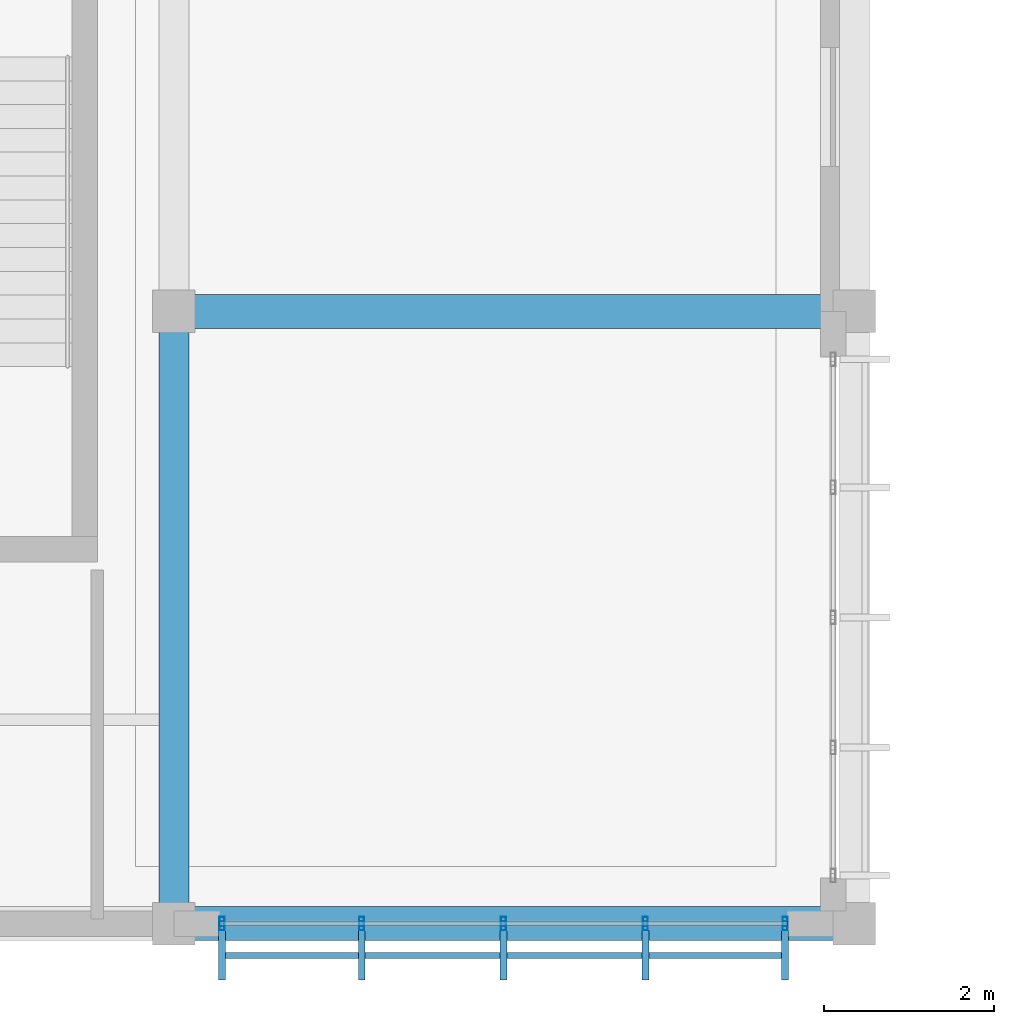
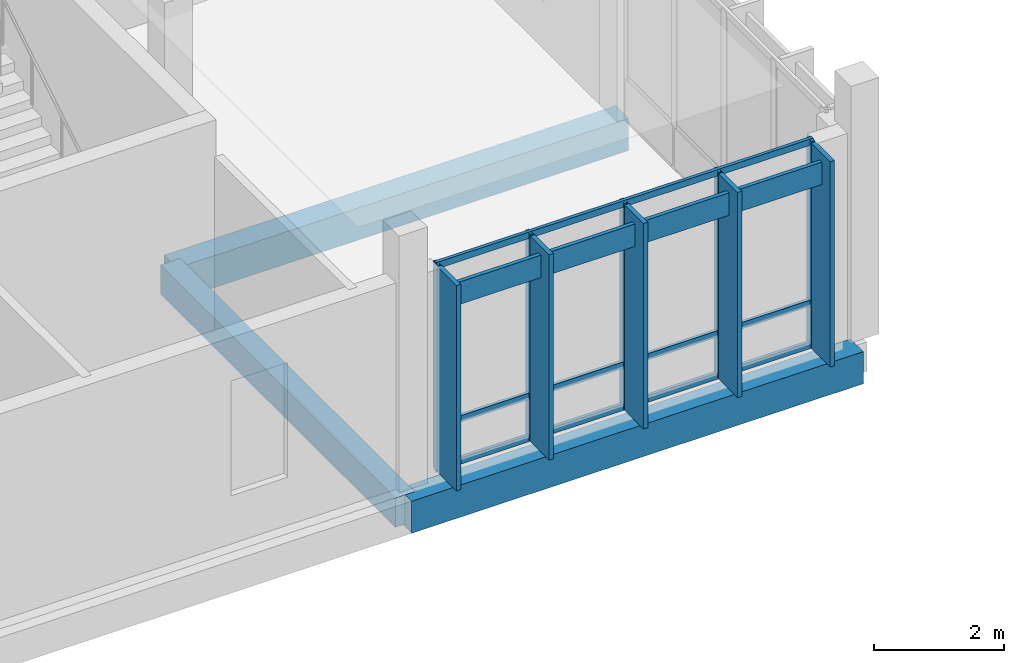
# One storey, part 22 of 177: 14 members, 3 beams, 1 element without a shape of its own.
"""IFC4 building model written with IfcOpenShell, lengths in metres."""

from ifc_helpers import new_model, si_unit, direction, frame, origin, origin_2d, place, context, subcontext, project, spatial, rectangle, hollow_rectangle, extrude, material, material_profile, profile_set, type_object, element, aggregate, save


model = new_model("IFC4")

# Units and contexts
model_context = context("Model", 3, precision=1e-05, world=origin(), true_north=direction((0.0, 1.0)))
body_context = subcontext(model_context, "Body", "Model", "MODEL_VIEW")
ifc_project = project(units=[si_unit("LENGTHUNIT", "METRE"), si_unit("AREAUNIT", "SQUARE_METRE"), si_unit("VOLUMEUNIT", "CUBIC_METRE"), si_unit("PLANEANGLEUNIT", "RADIAN"), si_unit("MASSUNIT", "GRAM", prefix="KILO")], contexts=[model_context])

# Site, building, storey
site_placement = place(None, origin())
site = spatial("IfcSite", under=ifc_project, at=site_placement, CompositionType="ELEMENT")
building_placement = place(site_placement, origin())
building = spatial("IfcBuilding", under=site, at=building_placement, Name="Chiffa Square Polytechnic", CompositionType="ELEMENT")
storey_placement = place(building_placement, frame((0.0, 0.0, 4.800048828125)))
storey = spatial("IfcBuildingStorey", under=building, at=storey_placement, Name="L01", CompositionType="ELEMENT", Elevation=4.800048828125)

# Beams
ifc_material_1 = material(Name="Concrete C35/45", Category="concrete")
ifc_material_profile_1 = material_profile(ifc_material_1, rectangle(XDim=0.35009765625, YDim=0.550048828125, at=origin_2d()), Name="RC 350x550")
ifc_profile_set_1 = profile_set([ifc_material_profile_1], Name="Concrete C35/45")
beam_type_1 = type_object("IfcBeamType", Name="BM-RC-350X550", PredefinedType="BEAM", material=ifc_profile_set_1)
beam_placement = place(storey_placement, frame((40.0, 0.0, -0.554931640625), z_axis=(0.0, 1.0, 0.0), x_axis=(-1.0, 0.0, 0.0)))
element("IfcBeam", 1, at=beam_placement, inside=storey, type_object=beam_type_1, Name="Primary floor girder BM-V3-L01-Y-0400-0000", PredefinedType="BEAM", context=body_context, shape_type="SweptSolid", body=[
    extrude(rectangle(XDim=0.35009765625, YDim=0.550048828125, at=origin_2d()), origin(), (0.0, 0.0, 1.0), 7.199951171875),
])
ifc_material_profile_2 = material_profile(ifc_material_1, rectangle(XDim=0.39990234375, YDim=0.60009765625, at=origin_2d()), Name="RC 400x600")
ifc_profile_set_2 = profile_set([ifc_material_profile_2], Name="Concrete C35/45")
beam_type_2 = type_object("IfcBeamType", Name="BM-RC-400X600", PredefinedType="BEAM", material=ifc_profile_set_2)
for number, where, z_axis, x_axis, name in (
    (2, (40.0, 0.0, -0.580078125), (1.0, 0.0, 0.0), (0.0, 1.0, 0.0), "Primary floor girder BM-V3-L01-X-0400-0000"),
    (3, (40.0, 7.199951171875, -0.580078125), (1.0, 0.0, 0.0), (0.0, 1.0, 0.0), "Primary floor girder BM-V3-L01-X-0400-0072"),
):
    element("IfcBeam", number, at=place(storey_placement, frame(where, z_axis=z_axis, x_axis=x_axis)), inside=storey, type_object=beam_type_2, Name=name, PredefinedType="BEAM", context=body_context, shape_type="SweptSolid", body=[
        extrude(rectangle(XDim=0.39990234375, YDim=0.60009765625, at=origin_2d()), origin(), (0.0, 0.0, 1.0), 8.0),
    ])

# Curtain wall, members
ifc_material_2 = material(Name="Aluminium EN AW-6060 T66 and glulam shading", Category="wood")
curtain_wall_type = type_object("IfcCurtainWallType", Name="CW-VERT-600X380", PredefinedType="USERDEFINED", material=ifc_material_2)
curtain_wall_placement = place(storey_placement, origin())
curtain_wall = element("IfcCurtainWall", 4, at=curtain_wall_placement, inside=storey, type_object=curtain_wall_type, Name="Curtain wall CW-V3-L01-156", ObjectType="CURTAIN WALL", PredefinedType="USERDEFINED")
ifc_material_3 = material(Name="Aluminium EN AW-6060 T66", Category="aluminium")
ifc_material_profile_3 = material_profile(ifc_material_3, hollow_rectangle(XDim=0.06005859375, YDim=0.159912109375, WallThickness=0.00390625, at=origin_2d()), Name="ALU 60x160x4")
ifc_profile_set_3 = profile_set([ifc_material_profile_3], Name="Aluminium EN AW-6060 T66")
member_type_1 = type_object("IfcMemberType", Name="CWM-ALU-65X150", PredefinedType="MULLION", material=ifc_profile_set_3)
member_1_placement = place(storey_placement, frame((40.56494140625, 0.0, 0.0), z_axis=(0.0, 0.0, 1.0), x_axis=(1.0, 0.0, 0.0)))
member_1 = element("IfcMember", 5, at=member_1_placement, type_object=member_type_1, Name="Curtain wall mullion CW-V3-L01-156-M00", PredefinedType="MULLION", context=body_context, shape_type="SweptSolid", body=[
    extrude(hollow_rectangle(XDim=0.06005859375, YDim=0.159912109375, WallThickness=0.00390625, at=origin_2d()), origin(), (0.0, 0.0, 1.0), 3.864990234375),
])
member_2_placement = place(storey_placement, frame((42.20703125, 0.0, 0.0), z_axis=(0.0, 0.0, 1.0), x_axis=(1.0, 0.0, 0.0)))
member_2 = element("IfcMember", 6, at=member_2_placement, type_object=member_type_1, Name="Curtain wall mullion CW-V3-L01-156-M01", PredefinedType="MULLION", context=body_context, shape_type="SweptSolid", body=[
    extrude(hollow_rectangle(XDim=0.06005859375, YDim=0.159912109375, WallThickness=0.00390625, at=origin_2d()), origin(), (0.0, 0.0, 1.0), 3.864990234375),
])
member_3_placement = place(storey_placement, frame((43.875, 0.0, 0.0), z_axis=(0.0, 0.0, 1.0), x_axis=(1.0, 0.0, 0.0)))
member_3 = element("IfcMember", 7, at=member_3_placement, type_object=member_type_1, Name="Curtain wall mullion CW-V3-L01-156-M02", PredefinedType="MULLION", context=body_context, shape_type="SweptSolid", body=[
    extrude(hollow_rectangle(XDim=0.06005859375, YDim=0.159912109375, WallThickness=0.00390625, at=origin_2d()), origin(), (0.0, 0.0, 1.0), 3.864990234375),
])
member_4_placement = place(storey_placement, frame((45.54296875, 0.0, 0.0), z_axis=(0.0, 0.0, 1.0), x_axis=(1.0, 0.0, 0.0)))
member_4 = element("IfcMember", 8, at=member_4_placement, type_object=member_type_1, Name="Curtain wall mullion CW-V3-L01-156-M03", PredefinedType="MULLION", context=body_context, shape_type="SweptSolid", body=[
    extrude(hollow_rectangle(XDim=0.06005859375, YDim=0.159912109375, WallThickness=0.00390625, at=origin_2d()), origin(), (0.0, 0.0, 1.0), 3.864990234375),
])
member_5_placement = place(storey_placement, frame((47.18505859375, 0.0, 0.0), z_axis=(0.0, 0.0, 1.0), x_axis=(1.0, 0.0, 0.0)))
member_5 = element("IfcMember", 9, at=member_5_placement, type_object=member_type_1, Name="Curtain wall mullion CW-V3-L01-156-M04", PredefinedType="MULLION", context=body_context, shape_type="SweptSolid", body=[
    extrude(hollow_rectangle(XDim=0.06005859375, YDim=0.159912109375, WallThickness=0.00390625, at=origin_2d()), origin(), (0.0, 0.0, 1.0), 3.864990234375),
])
ifc_material_4 = material(Name="Glulam GL28h", Category="wood")
ifc_material_profile_4 = material_profile(ifc_material_4, rectangle(XDim=0.080078125, YDim=0.580078125, at=origin_2d()), Name="GL28h 80x580")
ifc_profile_set_4 = profile_set([ifc_material_profile_4], Name="Glulam GL28h")
member_type_2 = type_object("IfcMemberType", Name="CWM-GL-80X580", PredefinedType="MULLION", material=ifc_profile_set_4)
member_6_placement = place(storey_placement, frame((40.56494140625, -0.3720703125, 0.010009765625), z_axis=(0.0, 0.0, 1.0), x_axis=(1.0, 0.0, 0.0)))
member_6 = element("IfcMember", 10, at=member_6_placement, type_object=member_type_2, Name="Exterior glulam solar fin CW-V3-L01-156-FN00", PredefinedType="MULLION", context=body_context, shape_type="SweptSolid", body=[
    extrude(rectangle(XDim=0.080078125, YDim=0.580078125, at=origin_2d()), origin(), (0.0, 0.0, 1.0), 3.844970703125),
])
member_7_placement = place(storey_placement, frame((42.20703125, -0.3720703125, 0.010009765625), z_axis=(0.0, 0.0, 1.0), x_axis=(1.0, 0.0, 0.0)))
member_7 = element("IfcMember", 11, at=member_7_placement, type_object=member_type_2, Name="Exterior glulam solar fin CW-V3-L01-156-FN01", PredefinedType="MULLION", context=body_context, shape_type="SweptSolid", body=[
    extrude(rectangle(XDim=0.080078125, YDim=0.580078125, at=origin_2d()), origin(), (0.0, 0.0, 1.0), 3.844970703125),
])
member_8_placement = place(storey_placement, frame((43.875, -0.3720703125, 0.010009765625), z_axis=(0.0, 0.0, 1.0), x_axis=(1.0, 0.0, 0.0)))
member_8 = element("IfcMember", 12, at=member_8_placement, type_object=member_type_2, Name="Exterior glulam solar fin CW-V3-L01-156-FN02", PredefinedType="MULLION", context=body_context, shape_type="SweptSolid", body=[
    extrude(rectangle(XDim=0.080078125, YDim=0.580078125, at=origin_2d()), origin(), (0.0, 0.0, 1.0), 3.844970703125),
])
member_9_placement = place(storey_placement, frame((45.54296875, -0.3720703125, 0.010009765625), z_axis=(0.0, 0.0, 1.0), x_axis=(1.0, 0.0, 0.0)))
member_9 = element("IfcMember", 13, at=member_9_placement, type_object=member_type_2, Name="Exterior glulam solar fin CW-V3-L01-156-FN03", PredefinedType="MULLION", context=body_context, shape_type="SweptSolid", body=[
    extrude(rectangle(XDim=0.080078125, YDim=0.580078125, at=origin_2d()), origin(), (0.0, 0.0, 1.0), 3.844970703125),
])
member_10_placement = place(storey_placement, frame((47.18505859375, -0.3720703125, 0.010009765625), z_axis=(0.0, 0.0, 1.0), x_axis=(1.0, 0.0, 0.0)))
member_10 = element("IfcMember", 14, at=member_10_placement, type_object=member_type_2, Name="Exterior glulam solar fin CW-V3-L01-156-FN04", PredefinedType="MULLION", context=body_context, shape_type="SweptSolid", body=[
    extrude(rectangle(XDim=0.080078125, YDim=0.580078125, at=origin_2d()), origin(), (0.0, 0.0, 1.0), 3.844970703125),
])
ifc_material_profile_5 = material_profile(ifc_material_3, hollow_rectangle(XDim=0.06005859375, YDim=0.1201171875, WallThickness=0.00390625, at=origin_2d()), Name="ALU 60x120x4")
ifc_profile_set_5 = profile_set([ifc_material_profile_5], Name="Aluminium EN AW-6060 T66")
member_type_3 = type_object("IfcMemberType", Name="CWT-ALU-65X120", PredefinedType="USERDEFINED", material=ifc_profile_set_5)
member_11_placement = place(storey_placement, frame((40.5380859375, 0.0, 0.030029296875), z_axis=(1.0, 0.0, 0.0), x_axis=(0.0, 1.0, 0.0)))
member_11 = element("IfcMember", 15, at=member_11_placement, type_object=member_type_3, Name="Curtain wall transom CW-V3-L01-156-T01", ObjectType="TRANSOM", PredefinedType="USERDEFINED", context=body_context, shape_type="SweptSolid", body=[
    extrude(hollow_rectangle(XDim=0.06005859375, YDim=0.1201171875, WallThickness=0.00390625, at=origin_2d()), origin(), (0.0, 0.0, 1.0), 6.673828125),
])
member_12_placement = place(storey_placement, frame((40.5380859375, 0.0, 0.820068359375), z_axis=(1.0, 0.0, 0.0), x_axis=(0.0, 1.0, 0.0)))
member_12 = element("IfcMember", 16, at=member_12_placement, type_object=member_type_3, Name="Curtain wall transom CW-V3-L01-156-T02", ObjectType="TRANSOM", PredefinedType="USERDEFINED", context=body_context, shape_type="SweptSolid", body=[
    extrude(hollow_rectangle(XDim=0.06005859375, YDim=0.1201171875, WallThickness=0.00390625, at=origin_2d()), origin(), (0.0, 0.0, 1.0), 6.673828125),
])
member_13_placement = place(storey_placement, frame((40.5380859375, 0.0, 3.8349609375), z_axis=(1.0, 0.0, 0.0), x_axis=(0.0, 1.0, 0.0)))
member_13 = element("IfcMember", 17, at=member_13_placement, type_object=member_type_3, Name="Curtain wall transom CW-V3-L01-156-T03", ObjectType="TRANSOM", PredefinedType="USERDEFINED", context=body_context, shape_type="SweptSolid", body=[
    extrude(hollow_rectangle(XDim=0.06005859375, YDim=0.1201171875, WallThickness=0.00390625, at=origin_2d()), origin(), (0.0, 0.0, 1.0), 6.673828125),
])
ifc_material_profile_6 = material_profile(ifc_material_4, rectangle(XDim=0.070068359375, YDim=0.419921875, at=origin_2d()), Name="GL28h 70x420")
ifc_profile_set_6 = profile_set([ifc_material_profile_6], Name="Glulam GL28h")
member_type_4 = type_object("IfcMemberType", Name="CWT-GL-70X420", PredefinedType="USERDEFINED", material=ifc_profile_set_6)
member_14_placement = place(storey_placement, frame((40.56494140625, -0.3720703125, 3.48486328125), z_axis=(1.0, 0.0, 0.0), x_axis=(0.0, 1.0, 0.0)))
member_14 = element("IfcMember", 18, at=member_14_placement, type_object=member_type_4, Name="Exterior glulam brise-soleil CW-V3-L01-156-BS01", ObjectType="TRANSOM", PredefinedType="USERDEFINED", context=body_context, shape_type="SweptSolid", body=[
    extrude(rectangle(XDim=0.070068359375, YDim=0.419921875, at=origin_2d()), origin(), (0.0, 0.0, 1.0), 6.6201171875),
])
aggregate(curtain_wall, [member_1, member_6, member_2, member_7, member_3, member_8, member_4, member_9, member_5, member_10, member_11, member_12, member_13, member_14])

save(model, "model.ifc")
